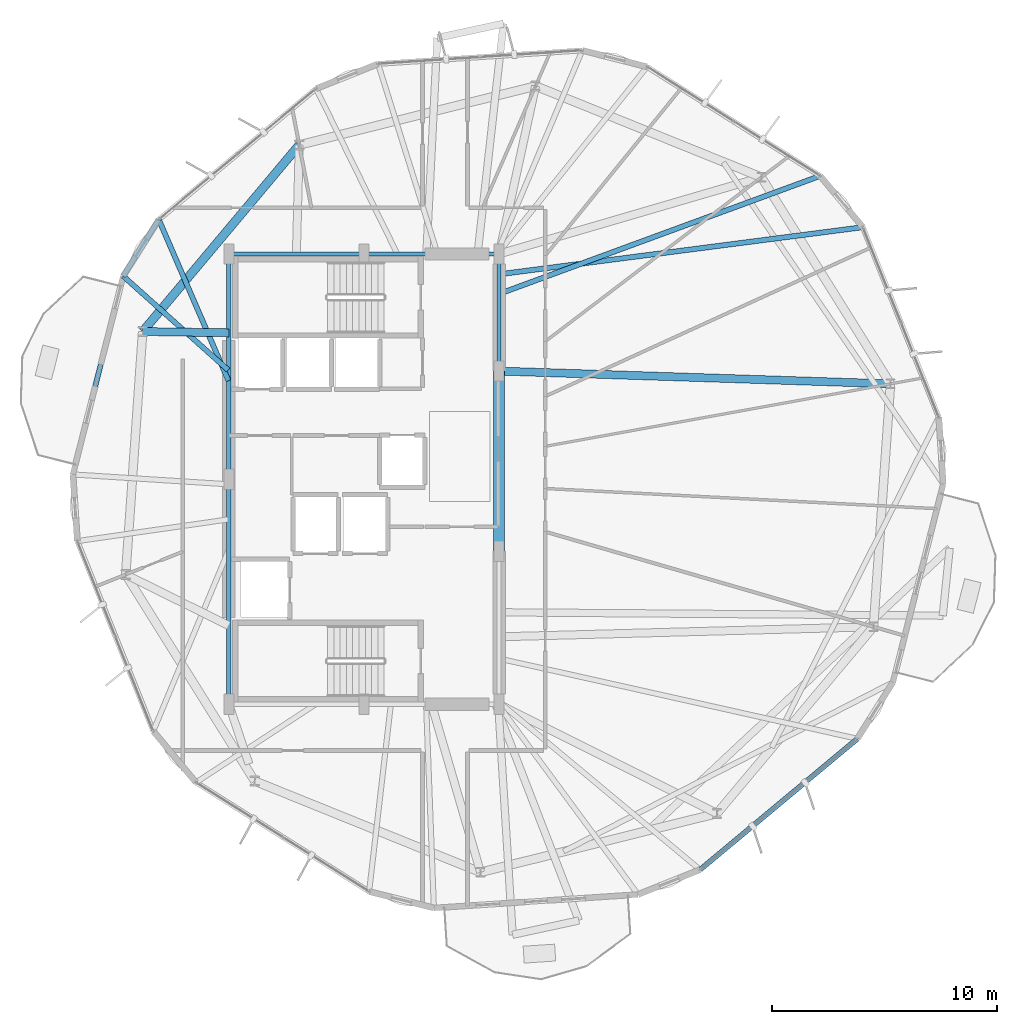
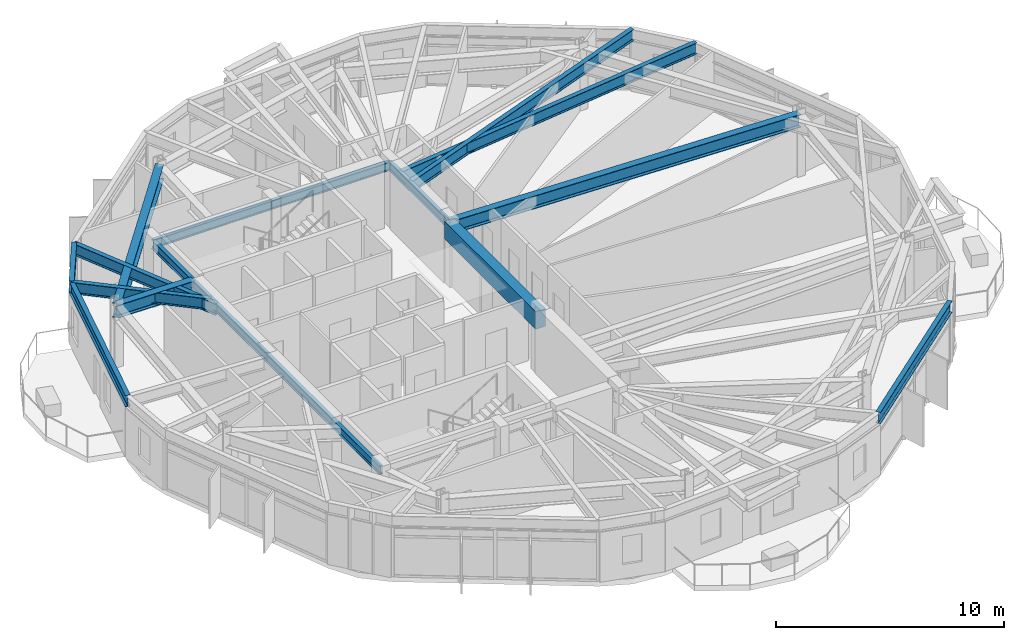
# One storey, part 8 of 24: 16 beams.
"""IFC4 building model written with IfcOpenShell, lengths in metres."""

from ifc_helpers import new_model, si_unit, direction, frame, origin, origin_2d, place, context, subcontext, project, spatial, rectangle, i_section, extrude, material, material_profile, profile_set, type_object, element, save


model = new_model("IFC4")

# Units and contexts
model_context = context("Model", 3, precision=1e-05, world=origin(), true_north=direction((0.0, 1.0)))
body_context = subcontext(model_context, "Body", "Model", "MODEL_VIEW")
ifc_project = project(units=[si_unit("LENGTHUNIT", "METRE"), si_unit("AREAUNIT", "SQUARE_METRE"), si_unit("VOLUMEUNIT", "CUBIC_METRE"), si_unit("PLANEANGLEUNIT", "RADIAN"), si_unit("MASSUNIT", "GRAM", prefix="KILO")], contexts=[model_context])

# Site, building, storey
site_placement = place(None, origin())
site = spatial("IfcSite", under=ifc_project, at=site_placement, CompositionType="ELEMENT")
building_placement = place(site_placement, origin())
building = spatial("IfcBuilding", under=site, at=building_placement, Name="Soratama Intermodal Tower", CompositionType="ELEMENT")
storey_placement = place(building_placement, frame((0.0, 0.0, 178.60009765625)))
storey = spatial("IfcBuildingStorey", under=building, at=storey_placement, Name="L44", CompositionType="ELEMENT", Elevation=178.60009765625)

# Beams
ifc_material_1 = material(Name="Concrete f'c 56 MPa", Category="concrete")
ifc_material_profile_1 = material_profile(ifc_material_1, rectangle(XDim=0.5, YDim=0.949951171875, at=origin_2d()), Name="RC500X950")
ifc_profile_set_1 = profile_set([ifc_material_profile_1], Name="Concrete f'c 56 MPa")
beam_type_1 = type_object("IfcBeamType", Name="BM-CPL-RC500X950", PredefinedType="BEAM", material=ifc_profile_set_1)
beam_1_placement = place(storey_placement, frame((44.60009765625, 21.800048828125, 2.824951171875), z_axis=(0.0, 1.0, 0.0), x_axis=(-1.0, 0.0, 0.0)))
element("IfcBeam", 1, at=beam_1_placement, inside=storey, type_object=beam_type_1, Name="L44 Core Coupling Beam East", PredefinedType="BEAM", context=body_context, shape_type="SweptSolid", body=[
    extrude(rectangle(XDim=0.5, YDim=0.949951171875, at=origin_2d()), origin(), (0.0, 0.0, 1.0), 8.0),
])
ifc_material_2 = material(Name="Structural steel ASTM A992 Grade 50", Category="steel")
ifc_material_profile_2 = material_profile(ifc_material_2, i_section(OverallWidth=0.19091796875, OverallDepth=0.4599609375, WebThickness=0.010009765625, FlangeThickness=0.01611328125, FilletRadius=0.010986328125, at=origin_2d()), Name="W18X55")
ifc_profile_set_2 = profile_set([ifc_material_profile_2], Name="Structural steel ASTM A992 Grade 50")
beam_type_2 = type_object("IfcBeamType", Name="BM-FLR-W18X55", PredefinedType="BEAM", material=ifc_profile_set_2)
beam_2_placement = place(storey_placement, frame((44.60009765625, 29.800048828125, 3.06982421875), z_axis=(0.0, 1.0, 0.0), x_axis=(-1.0, 0.0, 0.0)))
element("IfcBeam", 2, at=beam_2_placement, inside=storey, type_object=beam_type_2, Name="BM-L44-CRING-05", PredefinedType="BEAM", context=body_context, shape_type="SweptSolid", body=[
    extrude(i_section(OverallWidth=0.19091796875, OverallDepth=0.4599609375, WebThickness=0.010009765625, FlangeThickness=0.01611328125, FilletRadius=0.010986328125, at=origin_2d()), origin(), (0.0, 0.0, 1.0), 5.199951171875),
])
for number, where, z_axis, x_axis, name in (
    (3, (44.60009765625, 35.0, 3.06982421875), (-1.0, 0.0, 0.0), (0.0, -1.0, 0.0), "BM-L44-CRING-06"),
    (4, (38.60009765625, 35.0, 3.06982421875), (-1.0, 0.0, 0.0), (0.0, -1.0, 0.0), "BM-L44-CRING-07"),
):
    element("IfcBeam", number, at=place(storey_placement, frame(where, z_axis=z_axis, x_axis=x_axis)), inside=storey, type_object=beam_type_2, Name=name, PredefinedType="BEAM", context=body_context, shape_type="SweptSolid", body=[
        extrude(i_section(OverallWidth=0.19091796875, OverallDepth=0.4599609375, WebThickness=0.010009765625, FlangeThickness=0.01611328125, FilletRadius=0.010986328125, at=origin_2d()), origin(), (0.0, 0.0, 1.0), 6.0),
    ])
for number, where, z_axis, x_axis, name in (
    (5, (32.60009765625, 35.0, 3.06982421875), (0.0, -1.0, 0.0), (1.0, 0.0, 0.0), "BM-L44-CRING-08"),
    (6, (32.60009765625, 25.0, 3.06982421875), (0.0, -1.0, 0.0), (1.0, 0.0, 0.0), "BM-L44-CRING-09"),
):
    element("IfcBeam", number, at=place(storey_placement, frame(where, z_axis=z_axis, x_axis=x_axis)), inside=storey, type_object=beam_type_2, Name=name, PredefinedType="BEAM", context=body_context, shape_type="SweptSolid", body=[
        extrude(i_section(OverallWidth=0.19091796875, OverallDepth=0.4599609375, WebThickness=0.010009765625, FlangeThickness=0.01611328125, FilletRadius=0.010986328125, at=origin_2d()), origin(), (0.0, 0.0, 1.0), 10.0),
    ])
ifc_material_3 = material(Name="Structural steel ASTM A992 Grade 50", Category="steel")
ifc_material_profile_3 = material_profile(ifc_material_3, i_section(OverallWidth=0.35498046875, OverallDepth=0.695068359375, WebThickness=0.015380859375, FlangeThickness=0.02490234375, FilletRadius=0.01611328125, at=origin_2d()), Name="W27X146")
ifc_profile_set_3 = profile_set([ifc_material_profile_3], Name="Structural steel ASTM A992 Grade 50")
beam_type_3 = type_object("IfcBeamType", Name="BM-RING-W27X146", PredefinedType="BEAM", material=ifc_profile_set_3)
beam_3_placement = place(storey_placement, frame((44.60009765625, 29.800048828125, 2.952392578125), z_axis=(0.999469833309, -0.032558444449, 0.0), x_axis=(0.032558444449, 0.999469833309, 0.0)))
element("IfcBeam", 7, at=beam_3_placement, inside=storey, type_object=beam_type_3, Name="BM-L44-RAD-01", PredefinedType="BEAM", context=body_context, shape_type="SweptSolid", body=[
    extrude(i_section(OverallWidth=0.35498046875, OverallDepth=0.695068359375, WebThickness=0.015380859375, FlangeThickness=0.02490234375, FilletRadius=0.01611328125, at=origin_2d()), origin(), (0.0, 0.0, 1.0), 17.38916015625),
])
beam_4_placement = place(storey_placement, frame((32.60009765625, 31.5, 2.952392578125), z_axis=(-0.999893261134, 0.014610487289, 0.0), x_axis=(-0.014610487289, -0.999893261134, 0.0)))
element("IfcBeam", 8, at=beam_4_placement, inside=storey, type_object=beam_type_3, Name="BM-L44-RAD-05", PredefinedType="BEAM", context=body_context, shape_type="SweptSolid", body=[
    extrude(i_section(OverallWidth=0.35498046875, OverallDepth=0.695068359375, WebThickness=0.015380859375, FlangeThickness=0.02490234375, FilletRadius=0.01611328125, at=origin_2d()), origin(), (0.0, 0.0, 1.0), 3.82666015625),
])
ifc_material_4 = material(Name="Structural steel ASTM A992 Grade 50", Category="steel")
ifc_material_profile_4 = material_profile(ifc_material_4, i_section(OverallWidth=0.382080078125, OverallDepth=0.779052734375, WebThickness=0.01806640625, FlangeThickness=0.030029296875, FilletRadius=0.01806640625, at=origin_2d()), Name="W30X191")
ifc_profile_set_4 = profile_set([ifc_material_profile_4], Name="Structural steel ASTM A992 Grade 50")
beam_type_4 = type_object("IfcBeamType", Name="BM-RING-W30X191", PredefinedType="BEAM", material=ifc_profile_set_4)
beam_5_placement = place(storey_placement, frame((35.72607421875, 39.841064453125, 2.910400390625), z_axis=(-0.642791781199, -0.766040942785, 0.0), x_axis=(0.766040942785, -0.642791781199, 0.0)))
element("IfcBeam", 9, at=beam_5_placement, inside=storey, type_object=beam_type_4, Name="BM-L44-RING-04", PredefinedType="BEAM", context=body_context, shape_type="SweptSolid", body=[
    extrude(i_section(OverallWidth=0.382080078125, OverallDepth=0.779052734375, WebThickness=0.01806640625, FlangeThickness=0.030029296875, FilletRadius=0.01806640625, at=origin_2d()), origin(), (0.0, 0.0, 1.0), 10.815673828125),
])
ifc_material_5 = material(Name="Structural steel ASTM A992 Grade 50", Category="steel")
ifc_material_profile_5 = material_profile(ifc_material_5, i_section(OverallWidth=0.22900390625, OverallDepth=0.612060546875, WebThickness=0.011962890625, FlangeThickness=0.01953125, FilletRadius=0.012939453125, at=origin_2d()), Name="W24X84")
ifc_profile_set_5 = profile_set([ifc_material_profile_5], Name="Structural steel ASTM A992 Grade 50")
beam_type_5 = type_object("IfcBeamType", Name="BM-SPN-W24X84", PredefinedType="SPANDREL", material=ifc_profile_set_5)
beam_6_placement = place(storey_placement, frame((29.489990234375, 36.528076171875, 2.993896484375), z_axis=(-0.533212596008, -0.845981280797, 0.0), x_axis=(0.845981280797, -0.533212596008, 0.0)))
element("IfcBeam", 10, at=beam_6_placement, inside=storey, type_object=beam_type_5, Name="BS-L44-CRN03", PredefinedType="SPANDREL", context=body_context, shape_type="SweptSolid", body=[
    extrude(i_section(OverallWidth=0.22900390625, OverallDepth=0.612060546875, WebThickness=0.011962890625, FlangeThickness=0.01953125, FilletRadius=0.012939453125, at=origin_2d()), origin(), (0.0, 0.0, 1.0), 2.967041015625),
])
for number, where, z_axis, x_axis, name in (
    (11, (27.907958984375, 34.01806640625, 2.993896484375), (-0.245632172945, -0.969363108239, 0.0), (0.969363108239, -0.245632172945, 0.0), "BS-L44-F04"),
    (12, (53.527099609375, 7.657958984375, 2.993896484375), (0.768498703889, 0.639851343767, 0.0), (-0.639851343767, 0.768498703889, 0.0), "BS-L44-F08"),
):
    element("IfcBeam", number, at=place(storey_placement, frame(where, z_axis=z_axis, x_axis=x_axis)), inside=storey, type_object=beam_type_5, Name=name, PredefinedType="SPANDREL", context=body_context, shape_type="SweptSolid", body=[
        extrude(i_section(OverallWidth=0.22900390625, OverallDepth=0.612060546875, WebThickness=0.011962890625, FlangeThickness=0.01953125, FilletRadius=0.012939453125, at=origin_2d()), origin(), (0.0, 0.0, 1.0), 9.08642578125),
    ])
ifc_material_6 = material(Name="Structural steel ASTM A992 Grade 50", Category="steel")
ifc_material_profile_6 = material_profile(ifc_material_6, i_section(OverallWidth=0.22900390625, OverallDepth=0.612060546875, WebThickness=0.011962890625, FlangeThickness=0.01953125, FilletRadius=0.012939453125, at=origin_2d()), Name="W24X84")
ifc_profile_set_6 = profile_set([ifc_material_profile_6], Name="Structural steel ASTM A992 Grade 50")
beam_type_6 = type_object("IfcBeamType", Name="BM-TIE-W24X84", PredefinedType="BEAM", material=ifc_profile_set_6)
beam_7_placement = place(storey_placement, frame((44.637939453125, 33.240966796875, 2.993896484375), z_axis=(0.938605028131, 0.344993624822, 0.0), x_axis=(-0.344993624822, 0.938605028131, 0.0)))
element("IfcBeam", 13, at=beam_7_placement, inside=storey, type_object=beam_type_6, Name="BM-L44-TIE0-01", PredefinedType="BEAM", context=body_context, shape_type="SweptSolid", body=[
    extrude(i_section(OverallWidth=0.22900390625, OverallDepth=0.612060546875, WebThickness=0.011962890625, FlangeThickness=0.01953125, FilletRadius=0.012939453125, at=origin_2d()), origin(), (0.0, 0.0, 1.0), 15.151123046875),
])
beam_8_placement = place(storey_placement, frame((32.583984375, 29.3701171875, 2.993896484375), z_axis=(-0.396766435305, 0.917919602043, 0.0), x_axis=(-0.917919602043, -0.396766435305, 0.0)))
element("IfcBeam", 14, at=beam_8_placement, inside=storey, type_object=beam_type_6, Name="BM-L44-TIE1-03", PredefinedType="BEAM", context=body_context, shape_type="SweptSolid", body=[
    extrude(i_section(OverallWidth=0.22900390625, OverallDepth=0.612060546875, WebThickness=0.011962890625, FlangeThickness=0.01953125, FilletRadius=0.012939453125, at=origin_2d()), origin(), (0.0, 0.0, 1.0), 7.798095703125),
])
beam_9_placement = place(storey_placement, frame((32.570068359375, 29.846923828125, 2.993896484375), z_axis=(-0.745258665256, 0.666775465851, 0.0), x_axis=(-0.666775465851, -0.745258665256, 0.0)))
element("IfcBeam", 15, at=beam_9_placement, inside=storey, type_object=beam_type_6, Name="BM-L44-TIE0-04", PredefinedType="BEAM", context=body_context, shape_type="SweptSolid", body=[
    extrude(i_section(OverallWidth=0.22900390625, OverallDepth=0.612060546875, WebThickness=0.011962890625, FlangeThickness=0.01953125, FilletRadius=0.012939453125, at=origin_2d()), origin(), (0.0, 0.0, 1.0), 6.255615234375),
])
beam_10_placement = place(storey_placement, frame((44.639892578125, 34.10205078125, 2.993896484375), z_axis=(0.991720938837, 0.128411757531, 0.0), x_axis=(-0.128411757531, 0.991720938837, 0.0)))
element("IfcBeam", 16, at=beam_10_placement, inside=storey, type_object=beam_type_6, Name="BM-L44-TIE1-10", PredefinedType="BEAM", context=body_context, shape_type="SweptSolid", body=[
    extrude(i_section(OverallWidth=0.22900390625, OverallDepth=0.612060546875, WebThickness=0.011962890625, FlangeThickness=0.01953125, FilletRadius=0.012939453125, at=origin_2d()), origin(), (0.0, 0.0, 1.0), 16.251708984375),
])

save(model, "model.ifc")
